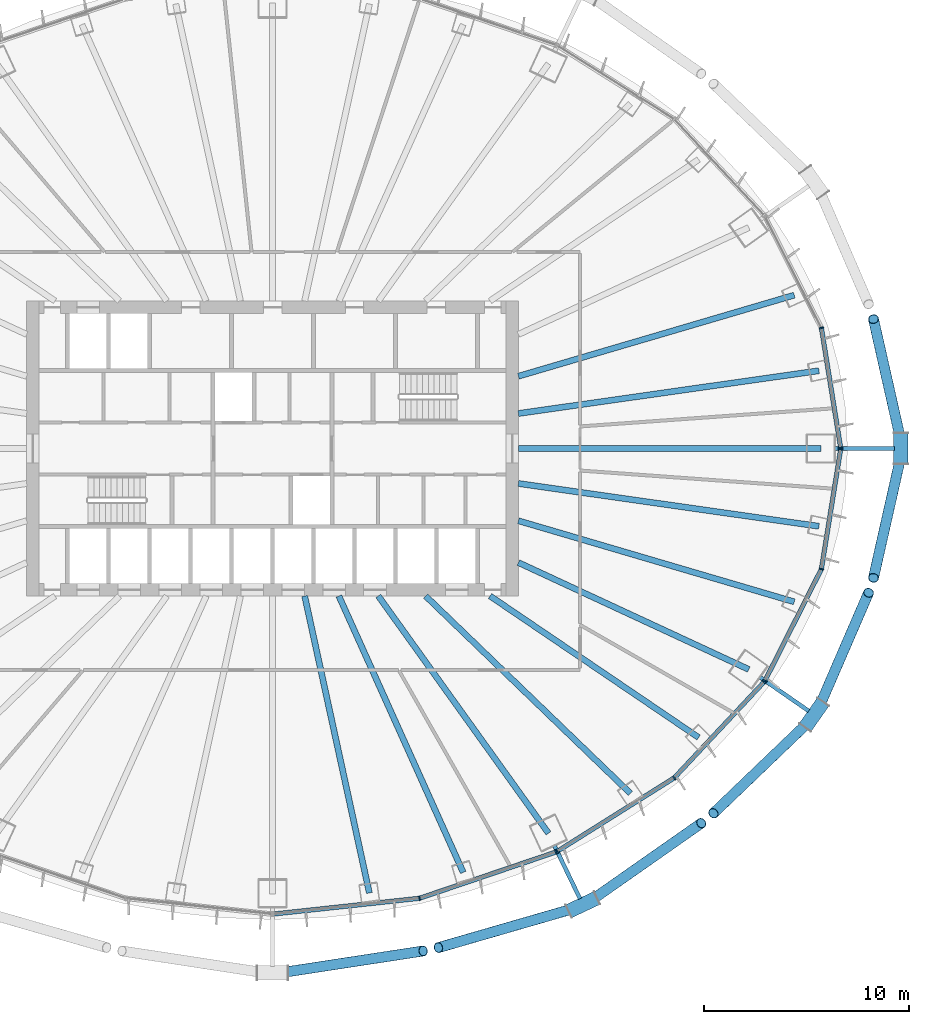
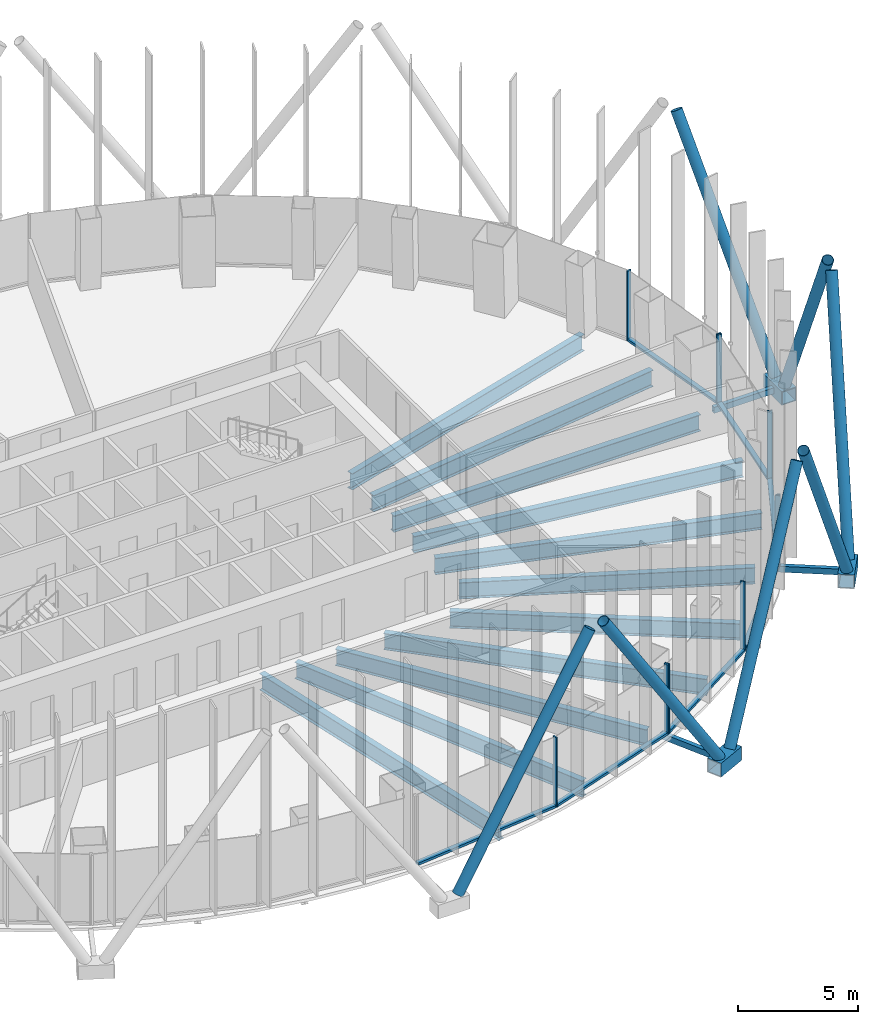
# One storey, part 4 of 22: 30 members, 11 beams, 4 elements without a shape of their own.
"""IFC4 building model written with IfcOpenShell, lengths in metres."""

from ifc_helpers import new_model, si_unit, direction, frame, origin, origin_2d, place, context, subcontext, project, spatial, rectangle, hollow_rectangle, hollow_circle, i_section, extrude, material, layer, layer_set, material_profile, profile_set, type_object, element, aggregate, save


model = new_model("IFC4")

# Units and contexts
model_context = context("Model", 3, precision=1e-05, world=origin(), true_north=direction((0.0, 1.0)))
body_context = subcontext(model_context, "Body", "Model", "MODEL_VIEW")
ifc_project = project(units=[si_unit("LENGTHUNIT", "METRE"), si_unit("AREAUNIT", "SQUARE_METRE"), si_unit("VOLUMEUNIT", "CUBIC_METRE"), si_unit("PLANEANGLEUNIT", "RADIAN"), si_unit("MASSUNIT", "GRAM", prefix="KILO")], contexts=[model_context])

# Site, building, storey
site_placement = place(None, origin())
site = spatial("IfcSite", under=ifc_project, at=site_placement, CompositionType="ELEMENT")
building_placement = place(site_placement, origin())
building = spatial("IfcBuilding", under=site, at=building_placement, Name="Siaravel Broadcast Tower", CompositionType="ELEMENT")
storey_placement = place(building_placement, frame((0.0, 0.0, 48.199951171875)))
storey = spatial("IfcBuildingStorey", under=building, at=storey_placement, Name="L10", CompositionType="ELEMENT", Elevation=48.199951171875)

# Beams
ifc_material_1 = material(Name="Steel S355", Category="steel")
ifc_material_profile_1 = material_profile(ifc_material_1, i_section(OverallWidth=0.291748046875, OverallDepth=0.8349609375, WebThickness=0.013916015625, FlangeThickness=0.018798828125, FilletRadius=0.017822265625, at=origin_2d()))
ifc_profile_set_1 = profile_set([ifc_material_profile_1], Name="Steel S355")
beam_type = type_object("IfcBeamType", Name="BM-UB 838x292x176", PredefinedType="BEAM", material=ifc_profile_set_1)
beam_1_placement = place(storey_placement, frame((26.77392578125, 0.0, -0.5673828125), z_axis=(-1.0, 0.0, 0.0), x_axis=(0.0, -1.0, 0.0)))
element("IfcBeam", 1, at=beam_1_placement, inside=storey, type_object=beam_type, Name="Radial beam RB01", PredefinedType="BEAM", context=body_context, shape_type="SweptSolid", body=[
    extrude(i_section(OverallWidth=0.291748046875, OverallDepth=0.8349609375, WebThickness=0.013916015625, FlangeThickness=0.018798828125, FilletRadius=0.017822265625, at=origin_2d()), origin(), (0.0, 0.0, 1.0), 14.77392578125),
])
beam_2_placement = place(storey_placement, frame((26.66845703125, 3.79638671875, -0.5673828125), z_axis=(-0.99001891, -0.140934585, 0.0), x_axis=(0.140934585, -0.99001891, 0.0)))
element("IfcBeam", 2, at=beam_2_placement, inside=storey, type_object=beam_type, Name="Radial beam RB02", PredefinedType="BEAM", context=body_context, shape_type="SweptSolid", body=[
    extrude(i_section(OverallWidth=0.291748046875, OverallDepth=0.8349609375, WebThickness=0.013916015625, FlangeThickness=0.018798828125, FilletRadius=0.017822265625, at=origin_2d()), origin(), (0.0, 0.0, 1.0), 14.81640625),
])
beam_3_placement = place(storey_placement, frame((25.4619140625, 7.484130859375, -0.5673828125), z_axis=(-0.959410927, -0.28201183, 0.0), x_axis=(0.28201183, -0.959410927, 0.0)))
element("IfcBeam", 3, at=beam_3_placement, inside=storey, type_object=beam_type, Name="Radial beam RB03", PredefinedType="BEAM", context=body_context, shape_type="SweptSolid", body=[
    extrude(i_section(OverallWidth=0.291748046875, OverallDepth=0.8349609375, WebThickness=0.013916015625, FlangeThickness=0.018798828125, FilletRadius=0.017822265625, at=origin_2d()), origin(), (0.0, 0.0, 1.0), 14.031494140625),
])
beam_4_placement = place(storey_placement, frame((4.725830078125, -21.693359375, -0.5673828125), z_axis=(-0.21284713, 0.977085513, 0.0), x_axis=(-0.977085513, -0.21284713, 0.0)))
element("IfcBeam", 4, at=beam_4_placement, inside=storey, type_object=beam_type, Name="Radial beam RB29", PredefinedType="BEAM", context=body_context, shape_type="SweptSolid", body=[
    extrude(i_section(OverallWidth=0.291748046875, OverallDepth=0.8349609375, WebThickness=0.013916015625, FlangeThickness=0.018798828125, FilletRadius=0.017822265625, at=origin_2d()), origin(), (0.0, 0.0, 1.0), 14.833251953125),
])
beam_5_placement = place(storey_placement, frame((9.304931640625, -20.6884765625, -0.5673828125), z_axis=(-0.410185528, 0.912002101, 0.0), x_axis=(-0.912002101, -0.410185528, 0.0)))
element("IfcBeam", 5, at=beam_5_placement, inside=storey, type_object=beam_type, Name="Radial beam RB30", PredefinedType="BEAM", context=body_context, shape_type="SweptSolid", body=[
    extrude(i_section(OverallWidth=0.291748046875, OverallDepth=0.8349609375, WebThickness=0.013916015625, FlangeThickness=0.018798828125, FilletRadius=0.017822265625, at=origin_2d()), origin(), (0.0, 0.0, 1.0), 14.7900390625),
])
beam_6_placement = place(storey_placement, frame((13.466796875, -18.77880859375, -0.5673828125), z_axis=(-0.582764, 0.812641446, 0.0), x_axis=(-0.812641446, -0.582764, 0.0)))
element("IfcBeam", 6, at=beam_6_placement, inside=storey, type_object=beam_type, Name="Radial beam RB31", PredefinedType="BEAM", context=body_context, shape_type="SweptSolid", body=[
    extrude(i_section(OverallWidth=0.291748046875, OverallDepth=0.8349609375, WebThickness=0.013916015625, FlangeThickness=0.018798828125, FilletRadius=0.017822265625, at=origin_2d()), origin(), (0.0, 0.0, 1.0), 14.24853515625),
])
beam_7_placement = place(storey_placement, frame((17.4638671875, -16.8310546875, -0.5673828125), z_axis=(-0.720030107, 0.693942825, 0.0), x_axis=(-0.693942825, -0.720030107, 0.0)))
element("IfcBeam", 7, at=beam_7_placement, inside=storey, type_object=beam_type, Name="Radial beam RB32", PredefinedType="BEAM", context=body_context, shape_type="SweptSolid", body=[
    extrude(i_section(OverallWidth=0.291748046875, OverallDepth=0.8349609375, WebThickness=0.013916015625, FlangeThickness=0.018798828125, FilletRadius=0.017822265625, at=origin_2d()), origin(), (0.0, 0.0, 1.0), 13.87890625),
])
beam_8_placement = place(storey_placement, frame((20.7939453125, -14.103515625, -0.5673828125), z_axis=(-0.827598621, 0.561320338, 0.0), x_axis=(-0.561320338, -0.827598621, 0.0)))
element("IfcBeam", 8, at=beam_8_placement, inside=storey, type_object=beam_type, Name="Radial beam RB33", PredefinedType="BEAM", context=body_context, shape_type="SweptSolid", body=[
    extrude(i_section(OverallWidth=0.291748046875, OverallDepth=0.8349609375, WebThickness=0.013916015625, FlangeThickness=0.018798828125, FilletRadius=0.017822265625, at=origin_2d()), origin(), (0.0, 0.0, 1.0), 12.298828125),
])
beam_9_placement = place(storey_placement, frame((23.240478515625, -10.7822265625, -0.5673828125), z_axis=(-0.907130681, 0.420849055, 0.0), x_axis=(-0.420849055, -0.907130681, 0.0)))
element("IfcBeam", 9, at=beam_9_placement, inside=storey, type_object=beam_type, Name="Radial beam RB34", PredefinedType="BEAM", context=body_context, shape_type="SweptSolid", body=[
    extrude(i_section(OverallWidth=0.291748046875, OverallDepth=0.8349609375, WebThickness=0.013916015625, FlangeThickness=0.018798828125, FilletRadius=0.017822265625, at=origin_2d()), origin(), (0.0, 0.0, 1.0), 12.391357421875),
])
beam_10_placement = place(storey_placement, frame((25.4619140625, -7.484130859375, -0.5673828125), z_axis=(-0.959410927, 0.28201183, 0.0), x_axis=(-0.28201183, -0.959410927, 0.0)))
element("IfcBeam", 10, at=beam_10_placement, inside=storey, type_object=beam_type, Name="Radial beam RB35", PredefinedType="BEAM", context=body_context, shape_type="SweptSolid", body=[
    extrude(i_section(OverallWidth=0.291748046875, OverallDepth=0.8349609375, WebThickness=0.013916015625, FlangeThickness=0.018798828125, FilletRadius=0.017822265625, at=origin_2d()), origin(), (0.0, 0.0, 1.0), 14.031494140625),
])
beam_11_placement = place(storey_placement, frame((26.66845703125, -3.79638671875, -0.5673828125), z_axis=(-0.99001891, 0.140934585, 0.0), x_axis=(-0.140934585, -0.99001891, 0.0)))
element("IfcBeam", 11, at=beam_11_placement, inside=storey, type_object=beam_type, Name="Radial beam RB36", PredefinedType="BEAM", context=body_context, shape_type="SweptSolid", body=[
    extrude(i_section(OverallWidth=0.291748046875, OverallDepth=0.8349609375, WebThickness=0.013916015625, FlangeThickness=0.018798828125, FilletRadius=0.017822265625, at=origin_2d()), origin(), (0.0, 0.0, 1.0), 14.81640625),
])

# Curtain wall, members
ifc_material_2 = material(Name="Aluminium 6063-T6", Category="aluminium")
ifc_layer = layer(ifc_material_2, 0.219970703125)
ifc_layer_set = layer_set([ifc_layer], Name="Aluminium 6063-T6")
curtain_wall_type = type_object("IfcCurtainWallType", Name="Unitised curtain wall, zone 1", PredefinedType="NOTDEFINED", material=ifc_layer_set)
curtain_wall_1_placement = place(storey_placement, origin())
curtain_wall_1 = element("IfcCurtainWall", 12, at=curtain_wall_1_placement, inside=storey, type_object=curtain_wall_type, Name="L10 Unitised curtain wall, zone 1 01", PredefinedType="NOTDEFINED")
ifc_material_profile_2 = material_profile(ifc_material_2, rectangle(XDim=0.219970703125, YDim=0.070068359375, at=origin_2d()))
ifc_profile_set_2 = profile_set([ifc_material_profile_2], Name="Aluminium 6063-T6")
member_type_1 = type_object("IfcMemberType", Name="CW-Z1 mullion", PredefinedType="MULLION", material=ifc_profile_set_2)
member_1_placement = place(storey_placement, frame((27.726318359375, 0.03466796875, 0.0), z_axis=(0.0, 0.0, 1.0), x_axis=(-0.987329143, -0.158685735, 0.0)))
member_1 = element("IfcMember", 13, at=member_1_placement, type_object=member_type_1, Name="CW-Z1 mullion 1", PredefinedType="MULLION", context=body_context, shape_type="SweptSolid", body=[
    extrude(rectangle(XDim=0.219970703125, YDim=0.070068359375, at=origin_2d()), origin(), (0.0, 0.0, 1.0), 3.550048828125),
])
member_2_placement = place(storey_placement, frame((26.7861328125, 5.88427734375, 0.0), z_axis=(0.0, 0.0, 1.0), x_axis=(-0.951177111, -0.308645596, 0.0)))
member_2 = element("IfcMember", 14, at=member_2_placement, type_object=member_type_1, Name="CW-Z1 mullion 2", PredefinedType="MULLION", context=body_context, shape_type="SweptSolid", body=[
    extrude(rectangle(XDim=0.219970703125, YDim=0.070068359375, at=origin_2d()), origin(), (0.0, 0.0, 1.0), 3.550048828125),
])

curtain_wall_2_placement = place(storey_placement, origin())
curtain_wall_2 = element("IfcCurtainWall", 15, at=curtain_wall_2_placement, inside=storey, type_object=curtain_wall_type, Name="L10 Unitised curtain wall, zone 1 10", PredefinedType="NOTDEFINED")
member_3_placement = place(storey_placement, frame((7.17529296875, -21.95068359375, 0.0), z_axis=(0.0, 0.0, 1.0), x_axis=(-0.215558136, 0.976491009, 0.0)))
member_3 = element("IfcMember", 16, at=member_3_placement, type_object=member_type_1, Name="CW-Z1 mullion 2", PredefinedType="MULLION", context=body_context, shape_type="SweptSolid", body=[
    extrude(rectangle(XDim=0.219970703125, YDim=0.070068359375, at=origin_2d()), origin(), (0.0, 0.0, 1.0), 3.550048828125),
])
member_4_placement = place(storey_placement, frame((13.8291015625, -19.693115234375, 0.0), z_axis=(0.0, 0.0, 1.0), x_axis=(-0.321300709, 0.94697722, 0.0)))
member_4 = element("IfcMember", 17, at=member_4_placement, type_object=member_type_1, Name="CW-Z1 mullion 3", PredefinedType="MULLION", context=body_context, shape_type="SweptSolid", body=[
    extrude(rectangle(XDim=0.219970703125, YDim=0.070068359375, at=origin_2d()), origin(), (0.0, 0.0, 1.0), 3.550048828125),
])

curtain_wall_3_placement = place(storey_placement, origin())
curtain_wall_3 = element("IfcCurtainWall", 18, at=curtain_wall_3_placement, inside=storey, type_object=curtain_wall_type, Name="L10 Unitised curtain wall, zone 1 11", PredefinedType="NOTDEFINED")
member_5_placement = place(storey_placement, frame((13.89208984375, -19.663330078125, 0.0), z_axis=(0.0, 0.0, 1.0), x_axis=(-0.532149214, 0.846650586, 0.0)))
member_5 = element("IfcMember", 19, at=member_5_placement, type_object=member_type_1, Name="CW-Z1 mullion 1", PredefinedType="MULLION", context=body_context, shape_type="SweptSolid", body=[
    extrude(rectangle(XDim=0.219970703125, YDim=0.070068359375, at=origin_2d()), origin(), (0.0, 0.0, 1.0), 3.550048828125),
])
member_6_placement = place(storey_placement, frame((19.605712890625, -16.072021484375, 0.0), z_axis=(0.0, 0.0, 1.0), x_axis=(-0.636218527, 0.771508902, 0.0)))
member_6 = element("IfcMember", 20, at=member_6_placement, type_object=member_type_1, Name="CW-Z1 mullion 2", PredefinedType="MULLION", context=body_context, shape_type="SweptSolid", body=[
    extrude(rectangle(XDim=0.219970703125, YDim=0.070068359375, at=origin_2d()), origin(), (0.0, 0.0, 1.0), 3.550048828125),
])
member_7_placement = place(storey_placement, frame((23.990234375, -11.3916015625, 0.0), z_axis=(0.0, 0.0, 1.0), x_axis=(-0.729805061, 0.683655302, 0.0)))
member_7 = element("IfcMember", 21, at=member_7_placement, type_object=member_type_1, Name="CW-Z1 mullion 3", PredefinedType="MULLION", context=body_context, shape_type="SweptSolid", body=[
    extrude(rectangle(XDim=0.219970703125, YDim=0.070068359375, at=origin_2d()), origin(), (0.0, 0.0, 1.0), 3.550048828125),
])

curtain_wall_4_placement = place(storey_placement, origin())
curtain_wall_4 = element("IfcCurtainWall", 22, at=curtain_wall_4_placement, inside=storey, type_object=curtain_wall_type, Name="L10 Unitised curtain wall, zone 1 12", PredefinedType="NOTDEFINED")
member_8_placement = place(storey_placement, frame((24.02978515625, -11.3349609375, 0.0), z_axis=(0.0, 0.0, 1.0), x_axis=(-0.892391886, 0.451261257, 0.0)))
member_8 = element("IfcMember", 23, at=member_8_placement, type_object=member_type_1, Name="CW-Z1 mullion 1", PredefinedType="MULLION", context=body_context, shape_type="SweptSolid", body=[
    extrude(rectangle(XDim=0.219970703125, YDim=0.070068359375, at=origin_2d()), origin(), (0.0, 0.0, 1.0), 3.550048828125),
])
member_9_placement = place(storey_placement, frame((26.7861328125, -5.88427734375, 0.0), z_axis=(0.0, 0.0, 1.0), x_axis=(-0.951177111, 0.308645596, 0.0)))
member_9 = element("IfcMember", 24, at=member_9_placement, type_object=member_type_1, Name="CW-Z1 mullion 2", PredefinedType="MULLION", context=body_context, shape_type="SweptSolid", body=[
    extrude(rectangle(XDim=0.219970703125, YDim=0.070068359375, at=origin_2d()), origin(), (0.0, 0.0, 1.0), 3.550048828125),
])
member_10_placement = place(storey_placement, frame((27.726318359375, -0.03466796875, 0.0), z_axis=(0.0, 0.0, 1.0), x_axis=(-0.987329143, 0.158685735, 0.0)))
member_10 = element("IfcMember", 25, at=member_10_placement, type_object=member_type_1, Name="CW-Z1 mullion 3", PredefinedType="MULLION", context=body_context, shape_type="SweptSolid", body=[
    extrude(rectangle(XDim=0.219970703125, YDim=0.070068359375, at=origin_2d()), origin(), (0.0, 0.0, 1.0), 3.550048828125),
])

# Member
ifc_material_profile_3 = material_profile(ifc_material_2, rectangle(XDim=0.219970703125, YDim=0.1201171875, at=origin_2d()))
ifc_profile_set_3 = profile_set([ifc_material_profile_3], Name="Aluminium 6063-T6")
member_type_2 = type_object("IfcMemberType", Name="CW-Z1 transom", PredefinedType="USERDEFINED", material=ifc_profile_set_3)
member_11_placement = place(storey_placement, frame((27.720703125, 0.069091796875, 0.06005859375), z_axis=(-0.158668659, 0.987331888, 0.0), x_axis=(-0.987331888, -0.158668659, 0.0)))
member_11 = element("IfcMember", 26, at=member_11_placement, type_object=member_type_2, Name="CW-Z1 transom 1", ObjectType="TRANSOM", PredefinedType="USERDEFINED", context=body_context, shape_type="SweptSolid", body=[
    extrude(rectangle(XDim=0.219970703125, YDim=0.1201171875, at=origin_2d()), origin(), (0.0, 0.0, 1.0), 5.854736328125),
])

aggregate(curtain_wall_1, [member_1, member_2, member_11])

member_12_placement = place(storey_placement, frame((0.069580078125, -22.717041015625, 0.06005859375), z_axis=(0.994236456, 0.107209463, 0.0), x_axis=(-0.107209463, 0.994236456, 0.0)))
member_12 = element("IfcMember", 27, at=member_12_placement, type_object=member_type_2, Name="CW-Z1 transom 1", ObjectType="TRANSOM", PredefinedType="USERDEFINED", context=body_context, shape_type="SweptSolid", body=[
    extrude(rectangle(XDim=0.219970703125, YDim=0.1201171875, at=origin_2d()), origin(), (0.0, 0.0, 1.0), 7.11181640625),
])

member_13_placement = place(storey_placement, frame((7.20849609375, -21.939697265625, 0.06005859375), z_axis=(0.946974505, 0.321308709, 0.0), x_axis=(-0.321308709, 0.946974505, 0.0)))
member_13 = element("IfcMember", 28, at=member_13_placement, type_object=member_type_2, Name="CW-Z1 transom 2", ObjectType="TRANSOM", PredefinedType="USERDEFINED", context=body_context, shape_type="SweptSolid", body=[
    extrude(rectangle(XDim=0.219970703125, YDim=0.1201171875, at=origin_2d()), origin(), (0.0, 0.0, 1.0), 6.956298828125),
])

aggregate(curtain_wall_2, [member_3, member_4, member_12, member_13])

member_14_placement = place(storey_placement, frame((13.921630859375, -19.644775390625, 0.06005859375), z_axis=(0.846658666, 0.532136358, 0.0), x_axis=(-0.532136358, 0.846658666, 0.0)))
member_14 = element("IfcMember", 29, at=member_14_placement, type_object=member_type_2, Name="CW-Z1 transom 1", ObjectType="TRANSOM", PredefinedType="USERDEFINED", context=body_context, shape_type="SweptSolid", body=[
    extrude(rectangle(XDim=0.219970703125, YDim=0.1201171875, at=origin_2d()), origin(), (0.0, 0.0, 1.0), 6.6787109375),
])

member_15_placement = place(storey_placement, frame((19.629638671875, -16.04638671875, 0.06005859375), z_axis=(0.683676063, 0.729785613, 0.0), x_axis=(-0.729785613, 0.683676063, 0.0)))
member_15 = element("IfcMember", 30, at=member_15_placement, type_object=member_type_2, Name="CW-Z1 transom 2", ObjectType="TRANSOM", PredefinedType="USERDEFINED", context=body_context, shape_type="SweptSolid", body=[
    extrude(rectangle(XDim=0.219970703125, YDim=0.1201171875, at=origin_2d()), origin(), (0.0, 0.0, 1.0), 6.34326171875),
])

aggregate(curtain_wall_3, [member_5, member_6, member_7, member_14, member_15])

member_16_placement = place(storey_placement, frame((24.045654296875, -11.3037109375, 0.06005859375), z_axis=(0.451268424, 0.892388262, 0.0), x_axis=(-0.892388262, 0.451268424, 0.0)))
member_16 = element("IfcMember", 31, at=member_16_placement, type_object=member_type_2, Name="CW-Z1 transom 1", ObjectType="TRANSOM", PredefinedType="USERDEFINED", context=body_context, shape_type="SweptSolid", body=[
    extrude(rectangle(XDim=0.219970703125, YDim=0.1201171875, at=origin_2d()), origin(), (0.0, 0.0, 1.0), 6.038330078125),
])

member_17_placement = place(storey_placement, frame((26.791748046875, -5.849609375, 0.06005859375), z_axis=(0.158668659, 0.987331888, 0.0), x_axis=(-0.987331888, 0.158668659, 0.0)))
member_17 = element("IfcMember", 32, at=member_17_placement, type_object=member_type_2, Name="CW-Z1 transom 2", ObjectType="TRANSOM", PredefinedType="USERDEFINED", context=body_context, shape_type="SweptSolid", body=[
    extrude(rectangle(XDim=0.219970703125, YDim=0.1201171875, at=origin_2d()), origin(), (0.0, 0.0, 1.0), 5.854736328125),
])

aggregate(curtain_wall_4, [member_8, member_9, member_10, member_16, member_17])

# Members
ifc_material_3 = material(Name="Steel S460", Category="steel")
ifc_material_profile_4 = material_profile(ifc_material_3, hollow_circle(Radius=0.25390625, WallThickness=0.02001953125, at=origin_2d()))
ifc_profile_set_4 = profile_set([ifc_material_profile_4], Name="Steel S460")
member_type_3 = type_object("IfcMemberType", Name="Diagrid diagonal CHS 508x20", PredefinedType="BRACE", material=ifc_profile_set_4)
for number, where, z_axis, x_axis, name in (
    (33, (30.666015625, -0.37939453125, 0.1201171875), (-0.110574737, -0.490595958, 0.864343007), (0.975528504, -0.219873005, 0.0), "Diagrid diagonal R05 station 00C"),
    (34, (30.666015625, 0.37939453125, 0.1201171875), (-0.110574737, 0.490595958, 0.864343007), (-0.975528504, -0.219873005, 0.0), "Diagrid diagonal R05 station 00A"),
):
    element("IfcMember", number, at=place(storey_placement, frame(where, z_axis=z_axis, x_axis=x_axis)), inside=storey, type_object=member_type_3, Name=name, PredefinedType="BRACE", context=body_context, shape_type="SweptSolid", body=[
        extrude(hollow_circle(Radius=0.25390625, WallThickness=0.02001953125, at=origin_2d()), origin(), (0.0, 0.0, 1.0), 12.1015625),
    ])
member_18_placement = place(storey_placement, frame((0.37939453125, -25.58935546875, 0.1201171875), z_axis=(0.552638055, 0.084549346, 0.829121576), x_axis=(-0.151232576, 0.988498208, 0.0)))
element("IfcMember", 35, at=member_18_placement, inside=storey, type_object=member_type_3, Name="Diagrid diagonal R05 station 54A", PredefinedType="BRACE", context=body_context, shape_type="SweptSolid", body=[
    extrude(hollow_circle(Radius=0.25390625, WallThickness=0.02001953125, at=origin_2d()), origin(), (0.0, 0.0, 1.0), 12.61572265625),
])
member_19_placement = place(storey_placement, frame((14.801513671875, -22.421875, 0.1201171875), z_axis=(-0.533437744, -0.154110708, 0.831681467), x_axis=(0.277550409, -0.960711076, 0.0)))
element("IfcMember", 36, at=member_19_placement, inside=storey, type_object=member_type_3, Name="Diagrid diagonal R05 station 60C", PredefinedType="BRACE", context=body_context, shape_type="SweptSolid", body=[
    extrude(hollow_circle(Radius=0.25390625, WallThickness=0.02001953125, at=origin_2d()), origin(), (0.0, 0.0, 1.0), 12.576904296875),
])
member_20_placement = place(storey_placement, frame((15.487548828125, -22.097412109375, 0.1201171875), z_axis=(0.439055181, 0.307657811, 0.844142891), x_axis=(-0.573861847, 0.818952123, 0.0)))
element("IfcMember", 37, at=member_20_placement, inside=storey, type_object=member_type_3, Name="Diagrid diagonal R05 station 60A", PredefinedType="BRACE", context=body_context, shape_type="SweptSolid", body=[
    extrude(hollow_circle(Radius=0.25390625, WallThickness=0.02001953125, at=origin_2d()), origin(), (0.0, 0.0, 1.0), 12.39111328125),
])
member_21_placement = place(storey_placement, frame((26.21240234375, -13.302734375, 0.1201171875), z_axis=(-0.381326995, -0.365431764, 0.849146247), x_axis=(0.691898843, -0.721994454, 0.0)))
element("IfcMember", 38, at=member_21_placement, inside=storey, type_object=member_type_3, Name="Diagrid diagonal R05 station 66C", PredefinedType="BRACE", context=body_context, shape_type="SweptSolid", body=[
    extrude(hollow_circle(Radius=0.25390625, WallThickness=0.02001953125, at=origin_2d()), origin(), (0.0, 0.0, 1.0), 12.318115234375),
])
member_22_placement = place(storey_placement, frame((26.649658203125, -12.6826171875, 0.1201171875), z_axis=(0.201259245, 0.465212063, 0.862016504), x_axis=(-0.917794883, 0.397054849, 0.0)))
element("IfcMember", 39, at=member_22_placement, inside=storey, type_object=member_type_3, Name="Diagrid diagonal R05 station 66A", PredefinedType="BRACE", context=body_context, shape_type="SweptSolid", body=[
    extrude(hollow_circle(Radius=0.25390625, WallThickness=0.02001953125, at=origin_2d()), origin(), (0.0, 0.0, 1.0), 12.13427734375),
])
ifc_material_profile_5 = material_profile(ifc_material_3, hollow_rectangle(XDim=0.699951171875, YDim=0.699951171875, WallThickness=0.0400390625, at=origin_2d()))
ifc_profile_set_5 = profile_set([ifc_material_profile_5], Name="Steel S460")
member_type_4 = type_object("IfcMemberType", Name="Diagrid node BOX 700x700x40", PredefinedType="USERDEFINED", material=ifc_profile_set_5)
member_23_placement = place(storey_placement, frame((30.666015625, -0.75341796875, -0.199951171875), z_axis=(0.0, 1.0, 0.0), x_axis=(-1.0, 0.0, 0.0)))
element("IfcMember", 40, at=member_23_placement, inside=storey, type_object=member_type_4, Name="Diagrid node R05 station 00", ObjectType="DIAGRID NODE", PredefinedType="USERDEFINED", context=body_context, shape_type="SweptSolid", body=[
    extrude(hollow_rectangle(XDim=0.699951171875, YDim=0.699951171875, WallThickness=0.0400390625, at=origin_2d()), origin(), (0.0, 0.0, 1.0), 1.5068359375),
])
member_24_placement = place(storey_placement, frame((14.46337890625, -22.581787109375, -0.199951171875), z_axis=(0.903998275, 0.427536102, 0.0), x_axis=(-0.427536102, 0.903998275, 0.0)))
element("IfcMember", 41, at=member_24_placement, inside=storey, type_object=member_type_4, Name="Diagrid node R05 station 60", ObjectType="DIAGRID NODE", PredefinedType="USERDEFINED", context=body_context, shape_type="SweptSolid", body=[
    extrude(hollow_rectangle(XDim=0.699951171875, YDim=0.699951171875, WallThickness=0.0400390625, at=origin_2d()), origin(), (0.0, 0.0, 1.0), 1.507080078125),
])
member_25_placement = place(storey_placement, frame((25.9970703125, -13.6083984375, -0.199951171875), z_axis=(0.576015054, 0.817439085, 0.0), x_axis=(-0.817439085, 0.576015054, 0.0)))
element("IfcMember", 42, at=member_25_placement, inside=storey, type_object=member_type_4, Name="Diagrid node R05 station 66", ObjectType="DIAGRID NODE", PredefinedType="USERDEFINED", context=body_context, shape_type="SweptSolid", body=[
    extrude(hollow_rectangle(XDim=0.699951171875, YDim=0.699951171875, WallThickness=0.0400390625, at=origin_2d()), origin(), (0.0, 0.0, 1.0), 1.5068359375),
])
ifc_material_profile_6 = material_profile(ifc_material_3, hollow_rectangle(XDim=0.199951171875, YDim=0.300048828125, WallThickness=0.012451171875, at=origin_2d()))
ifc_profile_set_6 = profile_set([ifc_material_profile_6], Name="Steel S460")
member_type_5 = type_object("IfcMemberType", Name="Diagrid node arm RHS 300x200x12.5", PredefinedType="STRUT", material=ifc_profile_set_6)
member_26_placement = place(storey_placement, frame((27.444091796875, 0.0, -0.199951171875), z_axis=(1.0, 0.0, 0.0), x_axis=(0.0, 1.0, 0.0)))
element("IfcMember", 43, at=member_26_placement, inside=storey, type_object=member_type_5, Name="Node arm R05 station 00", PredefinedType="STRUT", context=body_context, shape_type="SweptSolid", body=[
    extrude(hollow_rectangle(XDim=0.199951171875, YDim=0.300048828125, WallThickness=0.012451171875, at=origin_2d()), origin(), (0.0, 0.0, 1.0), 2.902099609375),
])
member_27_placement = place(storey_placement, frame((13.757568359375, -19.382080078125, -0.199951171875), z_axis=(0.434188426, -0.900822075, 0.0), x_axis=(0.900822075, 0.434188426, 0.0)))
element("IfcMember", 44, at=member_27_placement, inside=storey, type_object=member_type_5, Name="Node arm R05 station 60", PredefinedType="STRUT", context=body_context, shape_type="SweptSolid", body=[
    extrude(hollow_rectangle(XDim=0.199951171875, YDim=0.300048828125, WallThickness=0.012451171875, at=origin_2d()), origin(), (0.0, 0.0, 1.0), 2.87451171875),
])
member_28_placement = place(storey_placement, frame((23.791259765625, -11.163818359375, -0.199951171875), z_axis=(0.822046263, -0.569420707, 0.0), x_axis=(0.569420707, 0.822046263, 0.0)))
element("IfcMember", 45, at=member_28_placement, inside=storey, type_object=member_type_5, Name="Node arm R05 station 66", PredefinedType="STRUT", context=body_context, shape_type="SweptSolid", body=[
    extrude(hollow_rectangle(XDim=0.199951171875, YDim=0.300048828125, WallThickness=0.012451171875, at=origin_2d()), origin(), (0.0, 0.0, 1.0), 2.8916015625),
])

save(model, "model.ifc")
